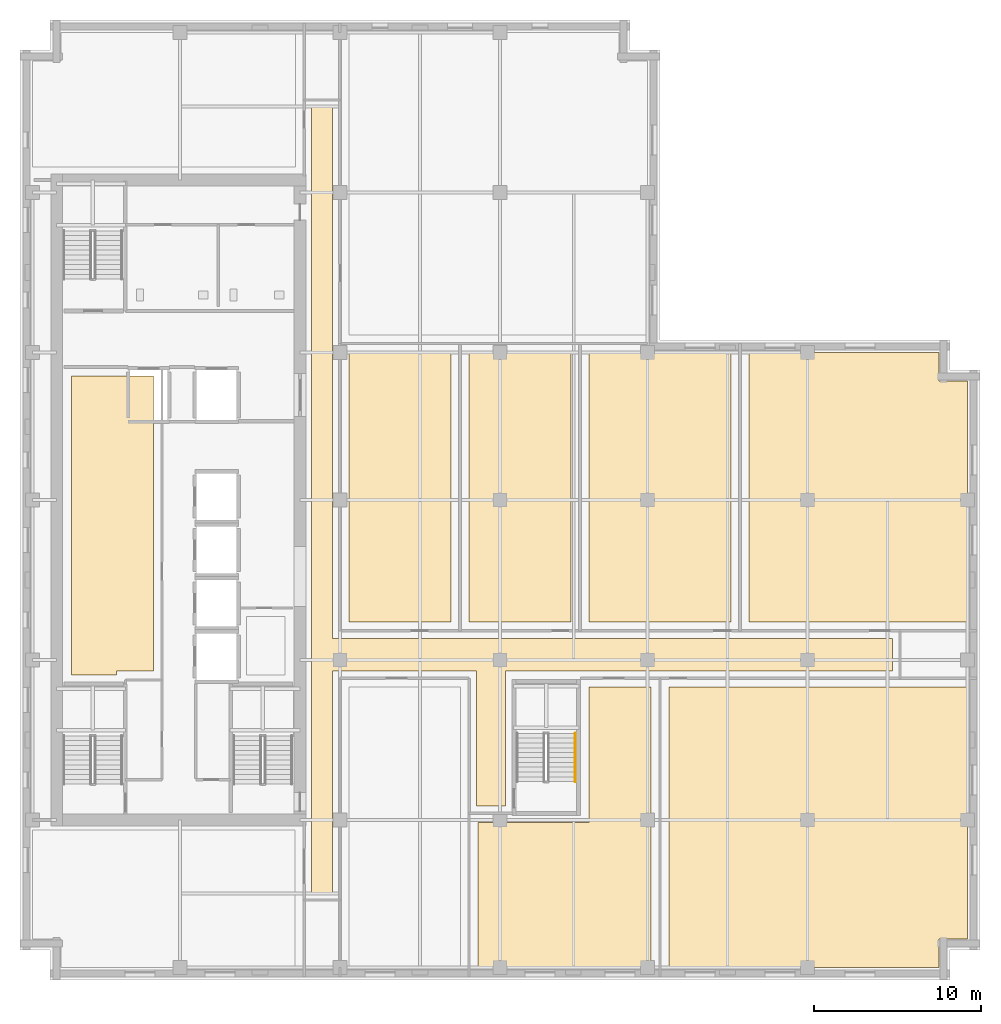
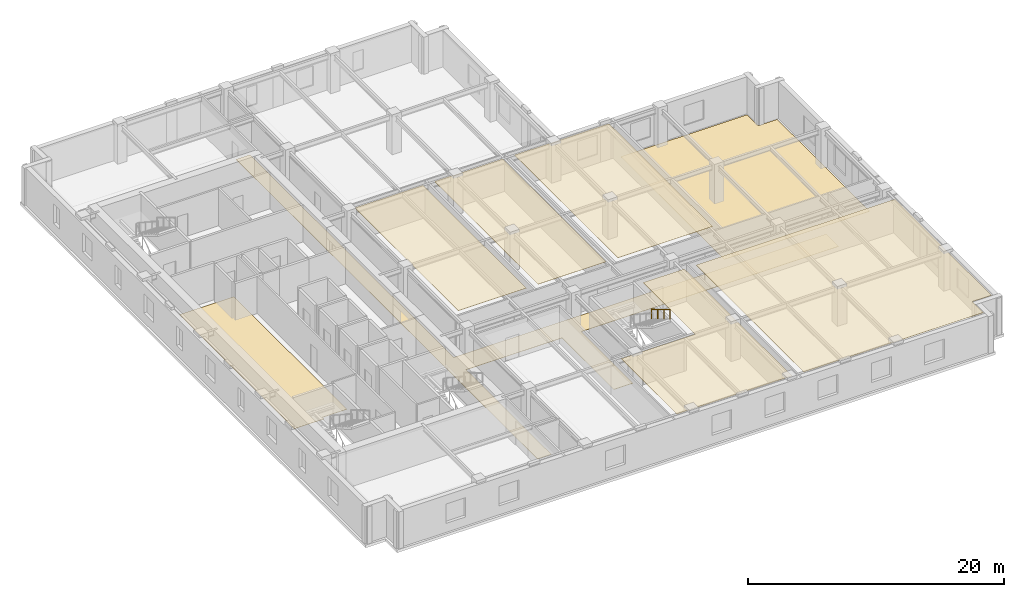
# One storey, part 9 of 11: 8 coverings, 1 railing.
"""IFC4 building model written with IfcOpenShell, lengths in metres."""

from ifc_helpers import new_model, si_unit, direction, frame, origin, origin_2d, place, context, subcontext, project, spatial, polyline, circle, outline, extrude, material, layer, layer_set, type_object, element, save


model = new_model("IFC4")

# Units and contexts
model_context = context("Model", 3, precision=1e-05, world=origin(), true_north=direction((0.0, 1.0)))
body_context = subcontext(model_context, "Body", "Model", "MODEL_VIEW")
ifc_project = project(units=[si_unit("LENGTHUNIT", "METRE"), si_unit("AREAUNIT", "SQUARE_METRE"), si_unit("VOLUMEUNIT", "CUBIC_METRE"), si_unit("PLANEANGLEUNIT", "RADIAN"), si_unit("MASSUNIT", "GRAM", prefix="KILO")], contexts=[model_context])

# Site, building, storey
site_placement = place(None, origin())
site = spatial("IfcSite", under=ifc_project, at=site_placement, CompositionType="ELEMENT")
building_placement = place(site_placement, origin())
building = spatial("IfcBuilding", under=site, at=building_placement, Name="Norrvale University Quadrangle", CompositionType="ELEMENT")
storey_placement = place(building_placement, frame((0.0, 0.0, 206.60009765625)))
storey = spatial("IfcBuildingStorey", under=building, at=storey_placement, Name="L52", CompositionType="ELEMENT", Elevation=206.60009765625)

# Coverings
ifc_material_1 = material(Name="Perforated Acoustic Mineral Ceiling")
ifc_layer_1 = layer(ifc_material_1, 0.02490234375, Name="Perforated Acoustic Mineral Ceiling")
ifc_layer_set_1 = layer_set([ifc_layer_1], Name="Perforated Acoustic Mineral Ceiling")
covering_type_1 = type_object("IfcCoveringType", Name="Covering Acoustic Ceiling 25", PredefinedType="CEILING", material=ifc_layer_set_1)
covering_1_placement = place(storey_placement, frame((0.0, 0.0, 3.514892578125)))
element("IfcCovering", 1, at=covering_1_placement, inside=storey, type_object=covering_type_1, Name="Acoustic Ceiling RM-L52-SE2", PredefinedType="CEILING", context=body_context, shape_type="SweptSolid", body=[
    extrude(outline(polyline([(27.47998046875, 9.449951171875), (34.14990234375, 9.449951171875), (34.14990234375, 17.570068359375), (37.8701171875, 17.570068359375), (37.8701171875, 0.75), (27.47998046875, 0.75), (27.47998046875, 9.449951171875)])), origin(), (0.0, 0.0, 1.0), 0.02490234375),
])
covering_2_placement = place(storey_placement, frame((0.0, 0.0, 3.514892578125)))
element("IfcCovering", 2, at=covering_2_placement, inside=storey, type_object=covering_type_1, Name="Acoustic Ceiling RM-L52-SE3", PredefinedType="CEILING", context=body_context, shape_type="SweptSolid", body=[
    extrude(outline(polyline([(38.929931640625, 0.75), (38.929931640625, 17.570068359375), (56.85009765625, 17.570068359375), (56.85009765625, 2.469970703125), (55.1298828125, 2.469970703125), (55.1298828125, 0.75), (38.929931640625, 0.75)])), origin(), (0.0, 0.0, 1.0), 0.02490234375),
])
covering_3_placement = place(storey_placement, frame((0.0, 0.0, 3.514892578125)))
element("IfcCovering", 3, at=covering_3_placement, inside=storey, type_object=covering_type_1, Name="Acoustic Ceiling RM-L52-ME01", PredefinedType="CEILING", context=body_context, shape_type="SweptSolid", body=[
    extrude(outline(polyline([(19.72998046875, 37.64990234375), (25.8701171875, 37.64990234375), (25.8701171875, 21.47998046875), (19.72998046875, 21.47998046875), (19.72998046875, 37.64990234375)])), origin(), (0.0, 0.0, 1.0), 0.02490234375),
])
covering_4_placement = place(storey_placement, frame((0.0, 0.0, 3.514892578125)))
element("IfcCovering", 4, at=covering_4_placement, inside=storey, type_object=covering_type_1, Name="Acoustic Ceiling RM-L52-ME02", PredefinedType="CEILING", context=body_context, shape_type="SweptSolid", body=[
    extrude(outline(polyline([(26.929931640625, 37.64990234375), (33.070068359375, 37.64990234375), (33.070068359375, 21.47998046875), (26.929931640625, 21.47998046875), (26.929931640625, 37.64990234375)])), origin(), (0.0, 0.0, 1.0), 0.02490234375),
])
covering_5_placement = place(storey_placement, frame((0.0, 0.0, 3.514892578125)))
element("IfcCovering", 5, at=covering_5_placement, inside=storey, type_object=covering_type_1, Name="Acoustic Ceiling RM-L52-ME03", PredefinedType="CEILING", context=body_context, shape_type="SweptSolid", body=[
    extrude(outline(polyline([(34.1298828125, 37.64990234375), (42.669921875, 37.64990234375), (42.669921875, 21.47998046875), (34.1298828125, 21.47998046875), (34.1298828125, 37.64990234375)])), origin(), (0.0, 0.0, 1.0), 0.02490234375),
])
ifc_material_2 = material(Name="Polished Terrazzo Flooring")
ifc_layer_2 = layer(ifc_material_2, 0.02490234375, Name="Polished Terrazzo Flooring")
ifc_layer_set_2 = layer_set([ifc_layer_2], Name="Polished Terrazzo Flooring")
covering_type_2 = type_object("IfcCoveringType", Name="Covering Terrazzo Floor 30", PredefinedType="FLOORING", material=ifc_layer_set_2)
covering_6_placement = place(storey_placement, origin())
element("IfcCovering", 6, at=covering_6_placement, inside=storey, type_object=covering_type_2, Name="Terrazzo Flooring RM-L52-REC2", PredefinedType="FLOORING", context=body_context, shape_type="SweptSolid", body=[
    extrude(outline(polyline([(3.10009765625, 18.300048828125), (3.10009765625, 36.25), (8.0, 36.25), (8.0, 18.550048828125), (5.800048828125, 18.550048828125), (5.800048828125, 18.300048828125), (3.10009765625, 18.300048828125)])), origin(), (0.0, 0.0, 1.0), 0.02490234375),
])
covering_7_placement = place(storey_placement, origin())
element("IfcCovering", 7, at=covering_7_placement, inside=storey, type_object=covering_type_2, Name="Terrazzo Flooring RM-L52-CORR1", PredefinedType="FLOORING", context=body_context, shape_type="SweptSolid", body=[
    extrude(outline(polyline([(17.5, 5.25), (17.5, 52.35009765625), (18.75, 52.35009765625), (18.75, 20.5), (52.35009765625, 20.5), (52.35009765625, 18.550048828125), (29.1298828125, 18.550048828125), (29.1298828125, 10.449951171875), (27.39990234375, 10.449951171875), (27.39990234375, 18.550048828125), (18.75, 18.550048828125), (18.75, 5.25), (17.5, 5.25)])), origin(), (0.0, 0.0, 1.0), 0.02490234375),
])
covering_8_placement = place(storey_placement, origin())
element("IfcCovering", 8, at=covering_8_placement, inside=storey, type_object=covering_type_2, Name="Terrazzo Flooring RM-L52-ME04", PredefinedType="FLOORING", context=body_context, shape_type="SweptSolid", body=[
    extrude(outline(polyline([(56.85009765625, 21.47998046875), (43.72998046875, 21.47998046875), (43.72998046875, 37.64990234375), (55.1298828125, 37.64990234375), (55.1298828125, 35.929931640625), (56.85009765625, 35.929931640625), (56.85009765625, 21.47998046875)])), origin(), (0.0, 0.0, 1.0), 0.02490234375),
])

# Railing
ifc_material_3 = material(Name="Stainless Steel 316L Handrail", Category="steel")
railing_type = type_object("IfcRailingType", Name="Railing Stair Handrail 920", PredefinedType="HANDRAIL", material=ifc_material_3)
railing_placement = place(storey_placement, frame((33.31005859375, 14.800048828125, 2.072509765625)))
element("IfcRailing", 9, at=railing_placement, inside=storey, type_object=railing_type, Name="Stair Upper Flight Handrail ST-04 L52", PredefinedType="HANDRAIL", context=body_context, shape_type="SweptSolid", body=[
    extrude(circle(Radius=0.02392578125, at=origin_2d()), frame((0.0, 0.0, 0.89599609375), z_axis=(0.0, -0.859160404282, 0.51170636083), x_axis=(1.0, 0.0, 0.0)), (0.0, 0.0, 1.0), 3.37548828125),
    extrude(circle(Radius=0.02099609375, at=origin_2d()), origin(), (0.0, 0.0, 1.0), 0.871826171875),
    extrude(circle(Radius=0.02099609375, at=origin_2d()), frame((0.0, -0.966796875, 0.57568359375)), (0.0, 0.0, 1.0), 0.871826171875),
    extrude(circle(Radius=0.02099609375, at=origin_2d()), frame((0.0, -1.933349609375, 1.151611328125)), (0.0, 0.0, 1.0), 0.871826171875),
    extrude(circle(Radius=0.02099609375, at=origin_2d()), frame((0.0, -2.900146484375, 1.727294921875)), (0.0, 0.0, 1.0), 0.871826171875),
])

save(model, "model.ifc")
